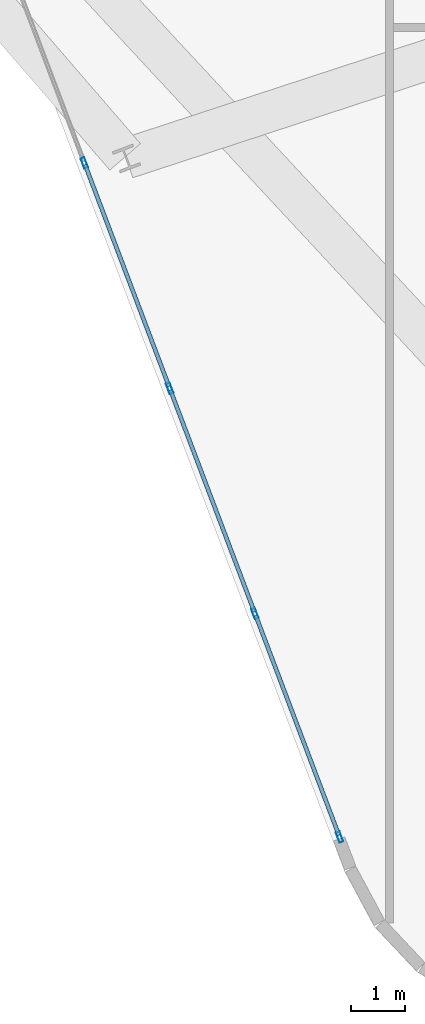
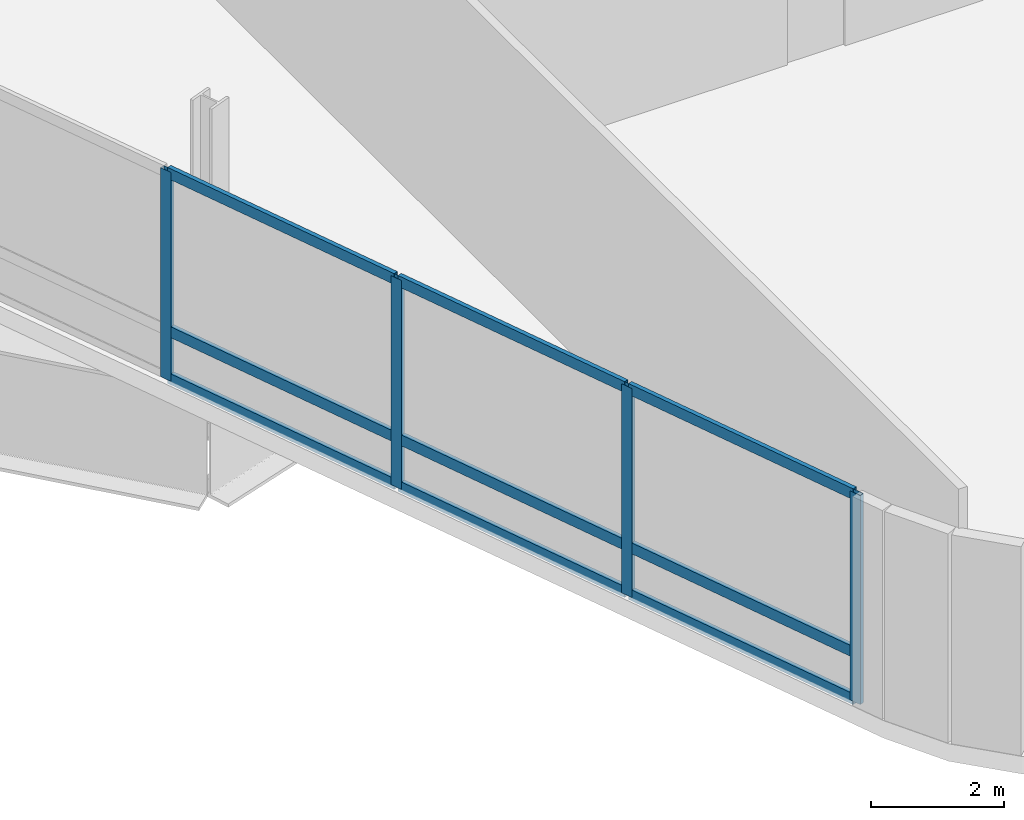
# One storey, part 3 of 19: 13 members, 1 element without a shape of its own.
"""IFC4 building model written with IfcOpenShell, lengths in metres."""

from ifc_helpers import new_model, si_unit, direction, frame, origin, origin_2d, place, context, subcontext, project, spatial, hollow_rectangle, extrude, material, layer, layer_set, material_profile, profile_set, type_object, element, aggregate, save


model = new_model("IFC4")

# Units and contexts
model_context = context("Model", 3, precision=1e-05, world=origin(), true_north=direction((0.0, 1.0)))
body_context = subcontext(model_context, "Body", "Model", "MODEL_VIEW")
ifc_project = project(units=[si_unit("LENGTHUNIT", "METRE"), si_unit("AREAUNIT", "SQUARE_METRE"), si_unit("VOLUMEUNIT", "CUBIC_METRE"), si_unit("PLANEANGLEUNIT", "RADIAN"), si_unit("MASSUNIT", "GRAM", prefix="KILO")], contexts=[model_context])

# Site, building, storey
site_placement = place(None, origin())
site = spatial("IfcSite", under=ifc_project, at=site_placement, CompositionType="ELEMENT")
building_placement = place(site_placement, origin())
building = spatial("IfcBuilding", under=site, at=building_placement, Name="Varnelok Gate Tower", CompositionType="ELEMENT")
storey_placement = place(building_placement, frame((0.0, 0.0, 207.89990234375)))
storey = spatial("IfcBuildingStorey", under=building, at=storey_placement, Name="L53", CompositionType="ELEMENT", Elevation=207.89990234375)

# Curtain wall, members
ifc_material = material(Name="Anodized Aluminum Alloy 6063-T6", Category="aluminium")
ifc_layer = layer(ifc_material, 0.179931640625)
ifc_layer_set = layer_set([ifc_layer], Name="Anodized Aluminum Alloy 6063-T6")
curtain_wall_type = type_object("IfcCurtainWallType", Name="CW2-ATRIUM-GLAZING", PredefinedType="USERDEFINED", material=ifc_layer_set)
curtain_wall_placement = place(storey_placement, origin())
curtain_wall = element("IfcCurtainWall", 1, at=curtain_wall_placement, inside=storey, type_object=curtain_wall_type, Name="L53 West End Vision Curtain Wall", ObjectType="UNITISED CURTAIN WALL", PredefinedType="USERDEFINED")
ifc_material_profile_1 = material_profile(ifc_material, hollow_rectangle(XDim=0.074951171875, YDim=0.199951171875, WallThickness=0.00390625, at=origin_2d()), Name="ALU200X75X4")
ifc_profile_set_1 = profile_set([ifc_material_profile_1], Name="Anodized Aluminum Alloy 6063-T6")
member_type_1 = type_object("IfcMemberType", Name="CW-MULL-200", PredefinedType="MULLION", material=ifc_profile_set_1)
member_1_placement = place(storey_placement, frame((14.976806640625, 1.84130859375, 0.0), z_axis=(0.0, 0.0, 1.0), x_axis=(-0.935221251863, -0.354063850264, 0.0)))
member_1 = element("IfcMember", 2, at=member_1_placement, type_object=member_type_1, Name="CW2 mullion 1", PredefinedType="MULLION", context=body_context, shape_type="SweptSolid", body=[
    extrude(hollow_rectangle(XDim=0.074951171875, YDim=0.199951171875, WallThickness=0.00390625, at=origin_2d()), origin(), (0.0, 0.0, 1.0), 3.830078125),
])
member_2_placement = place(storey_placement, frame((13.408447265625, 5.983642578125, 0.0), z_axis=(0.0, 0.0, 1.0), x_axis=(-0.935221251863, -0.354063850264, 0.0)))
member_2 = element("IfcMember", 3, at=member_2_placement, type_object=member_type_1, Name="CW2 mullion 2", PredefinedType="MULLION", context=body_context, shape_type="SweptSolid", body=[
    extrude(hollow_rectangle(XDim=0.074951171875, YDim=0.199951171875, WallThickness=0.00390625, at=origin_2d()), origin(), (0.0, 0.0, 1.0), 3.830078125),
])
member_3_placement = place(storey_placement, frame((11.8271484375, 10.160888671875, 0.0), z_axis=(0.0, 0.0, 1.0), x_axis=(-0.935221251863, -0.354063850264, 0.0)))
member_3 = element("IfcMember", 4, at=member_3_placement, type_object=member_type_1, Name="CW2 mullion 3", PredefinedType="MULLION", context=body_context, shape_type="SweptSolid", body=[
    extrude(hollow_rectangle(XDim=0.074951171875, YDim=0.199951171875, WallThickness=0.00390625, at=origin_2d()), origin(), (0.0, 0.0, 1.0), 3.830078125),
])
member_4_placement = place(storey_placement, frame((10.24560546875, 14.338134765625, 0.0), z_axis=(0.0, 0.0, 1.0), x_axis=(-0.935221251863, -0.354063850264, 0.0)))
member_4 = element("IfcMember", 5, at=member_4_placement, type_object=member_type_1, Name="CW2 mullion 4", PredefinedType="MULLION", context=body_context, shape_type="SweptSolid", body=[
    extrude(hollow_rectangle(XDim=0.074951171875, YDim=0.199951171875, WallThickness=0.00390625, at=origin_2d()), origin(), (0.0, 0.0, 1.0), 3.830078125),
])
ifc_material_profile_2 = material_profile(ifc_material, hollow_rectangle(XDim=0.074951171875, YDim=0.199951171875, WallThickness=0.00390625, at=origin_2d()), Name="ALU200X75X4")
ifc_profile_set_2 = profile_set([ifc_material_profile_2], Name="Anodized Aluminum Alloy 6063-T6")
member_type_2 = type_object("IfcMemberType", Name="CW-TRAN-200", PredefinedType="USERDEFINED", material=ifc_profile_set_2)
member_5_placement = place(storey_placement, frame((14.96337890625, 1.87646484375, 0.03759765625), z_axis=(-0.354040568135, 0.935230065874, 0.0), x_axis=(-0.935230065874, -0.354040568135, 0.0)))
member_5 = element("IfcMember", 6, at=member_5_placement, type_object=member_type_2, Name="CW2 transom 1.1", ObjectType="TRANSOM", PredefinedType="USERDEFINED", context=body_context, shape_type="SweptSolid", body=[
    extrude(hollow_rectangle(XDim=0.074951171875, YDim=0.199951171875, WallThickness=0.00390625, at=origin_2d()), origin(), (0.0, 0.0, 1.0), 4.35400390625),
])
member_6_placement = place(storey_placement, frame((14.96337890625, 1.87646484375, 0.900146484375), z_axis=(-0.354040568135, 0.935230065874, 0.0), x_axis=(-0.935230065874, -0.354040568135, 0.0)))
member_6 = element("IfcMember", 7, at=member_6_placement, type_object=member_type_2, Name="CW2 transom 1.2", ObjectType="TRANSOM", PredefinedType="USERDEFINED", context=body_context, shape_type="SweptSolid", body=[
    extrude(hollow_rectangle(XDim=0.074951171875, YDim=0.199951171875, WallThickness=0.00390625, at=origin_2d()), origin(), (0.0, 0.0, 1.0), 4.35400390625),
])
member_7_placement = place(storey_placement, frame((14.96337890625, 1.87646484375, 3.79248046875), z_axis=(-0.354040568135, 0.935230065874, 0.0), x_axis=(-0.935230065874, -0.354040568135, 0.0)))
member_7 = element("IfcMember", 8, at=member_7_placement, type_object=member_type_2, Name="CW2 transom 1.3", ObjectType="TRANSOM", PredefinedType="USERDEFINED", context=body_context, shape_type="SweptSolid", body=[
    extrude(hollow_rectangle(XDim=0.074951171875, YDim=0.199951171875, WallThickness=0.00390625, at=origin_2d()), origin(), (0.0, 0.0, 1.0), 4.35400390625),
])
member_8_placement = place(storey_placement, frame((13.395263671875, 6.018798828125, 0.03759765625), z_axis=(-0.354064266196, 0.935221094396, 0.0), x_axis=(-0.935221094396, -0.354064266196, 0.0)))
member_8 = element("IfcMember", 9, at=member_8_placement, type_object=member_type_2, Name="CW2 transom 2.1", ObjectType="TRANSOM", PredefinedType="USERDEFINED", context=body_context, shape_type="SweptSolid", body=[
    extrude(hollow_rectangle(XDim=0.074951171875, YDim=0.199951171875, WallThickness=0.00390625, at=origin_2d()), origin(), (0.0, 0.0, 1.0), 4.3916015625),
])
member_9_placement = place(storey_placement, frame((13.395263671875, 6.018798828125, 0.900146484375), z_axis=(-0.354064266196, 0.935221094396, 0.0), x_axis=(-0.935221094396, -0.354064266196, 0.0)))
member_9 = element("IfcMember", 10, at=member_9_placement, type_object=member_type_2, Name="CW2 transom 2.2", ObjectType="TRANSOM", PredefinedType="USERDEFINED", context=body_context, shape_type="SweptSolid", body=[
    extrude(hollow_rectangle(XDim=0.074951171875, YDim=0.199951171875, WallThickness=0.00390625, at=origin_2d()), origin(), (0.0, 0.0, 1.0), 4.3916015625),
])
member_10_placement = place(storey_placement, frame((13.395263671875, 6.018798828125, 3.79248046875), z_axis=(-0.354064266196, 0.935221094396, 0.0), x_axis=(-0.935221094396, -0.354064266196, 0.0)))
member_10 = element("IfcMember", 11, at=member_10_placement, type_object=member_type_2, Name="CW2 transom 2.3", ObjectType="TRANSOM", PredefinedType="USERDEFINED", context=body_context, shape_type="SweptSolid", body=[
    extrude(hollow_rectangle(XDim=0.074951171875, YDim=0.199951171875, WallThickness=0.00390625, at=origin_2d()), origin(), (0.0, 0.0, 1.0), 4.3916015625),
])
member_11_placement = place(storey_placement, frame((11.813720703125, 10.196044921875, 0.03759765625), z_axis=(-0.354064266196, 0.935221094396, 0.0), x_axis=(-0.935221094396, -0.354064266196, 0.0)))
member_11 = element("IfcMember", 12, at=member_11_placement, type_object=member_type_2, Name="CW2 transom 3.1", ObjectType="TRANSOM", PredefinedType="USERDEFINED", context=body_context, shape_type="SweptSolid", body=[
    extrude(hollow_rectangle(XDim=0.074951171875, YDim=0.199951171875, WallThickness=0.00390625, at=origin_2d()), origin(), (0.0, 0.0, 1.0), 4.3916015625),
])
member_12_placement = place(storey_placement, frame((11.813720703125, 10.196044921875, 0.900146484375), z_axis=(-0.354064266196, 0.935221094396, 0.0), x_axis=(-0.935221094396, -0.354064266196, 0.0)))
member_12 = element("IfcMember", 13, at=member_12_placement, type_object=member_type_2, Name="CW2 transom 3.2", ObjectType="TRANSOM", PredefinedType="USERDEFINED", context=body_context, shape_type="SweptSolid", body=[
    extrude(hollow_rectangle(XDim=0.074951171875, YDim=0.199951171875, WallThickness=0.00390625, at=origin_2d()), origin(), (0.0, 0.0, 1.0), 4.3916015625),
])
member_13_placement = place(storey_placement, frame((11.813720703125, 10.196044921875, 3.79248046875), z_axis=(-0.354064266196, 0.935221094396, 0.0), x_axis=(-0.935221094396, -0.354064266196, 0.0)))
member_13 = element("IfcMember", 14, at=member_13_placement, type_object=member_type_2, Name="CW2 transom 3.3", ObjectType="TRANSOM", PredefinedType="USERDEFINED", context=body_context, shape_type="SweptSolid", body=[
    extrude(hollow_rectangle(XDim=0.074951171875, YDim=0.199951171875, WallThickness=0.00390625, at=origin_2d()), origin(), (0.0, 0.0, 1.0), 4.3916015625),
])
aggregate(curtain_wall, [member_1, member_2, member_3, member_4, member_5, member_6, member_7, member_8, member_9, member_10, member_11, member_12, member_13])

save(model, "model.ifc")
